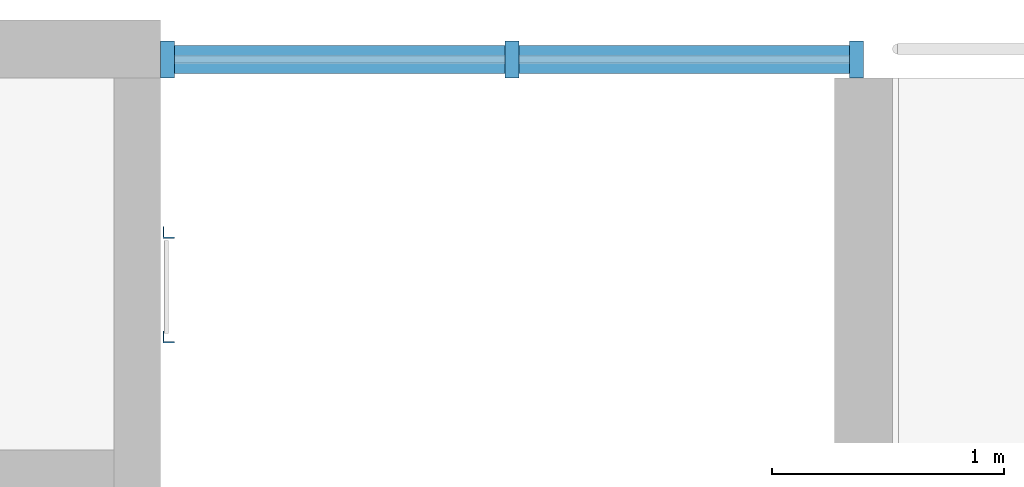
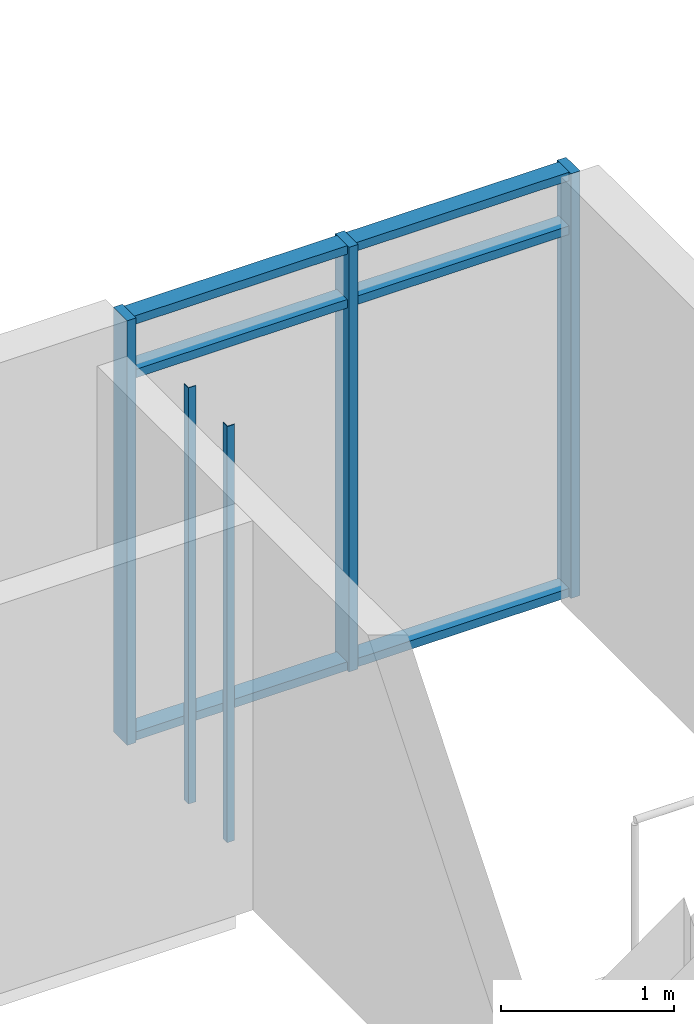
# One storey, part 17 of 55: 11 members, 1 element without a shape of its own.
"""IFC4 building model written with IfcOpenShell, lengths in metres."""

from ifc_helpers import new_model, si_unit, direction, frame, origin, origin_2d, place, context, subcontext, project, spatial, polyline, rectangle, outline, extrude, material, material_profile, profile_set, type_object, element, aggregate, save


model = new_model("IFC4")

# Units and contexts
model_context = context("Model", 3, precision=1e-05, world=origin(), true_north=direction((0.0, 1.0)))
body_context = subcontext(model_context, "Body", "Model", "MODEL_VIEW")
ifc_project = project(units=[si_unit("LENGTHUNIT", "METRE"), si_unit("AREAUNIT", "SQUARE_METRE"), si_unit("VOLUMEUNIT", "CUBIC_METRE"), si_unit("PLANEANGLEUNIT", "RADIAN"), si_unit("MASSUNIT", "GRAM", prefix="KILO")], contexts=[model_context])

# Site, building, storey
site_placement = place(None, origin())
site = spatial("IfcSite", under=ifc_project, at=site_placement, CompositionType="ELEMENT")
building_placement = place(site_placement, origin())
building = spatial("IfcBuilding", under=site, at=building_placement, Name="Ridgestep Commons", CompositionType="ELEMENT")
storey_placement = place(building_placement, frame((0.0, 0.0, 36.0)))
storey = spatial("IfcBuildingStorey", under=building, at=storey_placement, Name="L12", CompositionType="ELEMENT", Elevation=36.0)

# Members
ifc_material_1 = material(Name="Structural steel S355JR", Category="steel")
ifc_material_profile_1 = material_profile(ifc_material_1, outline(polyline([(-0.014404296875, -0.014404296875), (0.03564453125, -0.014404296875), (0.03564453125, -0.00927734375), (-0.00927734375, -0.00927734375), (-0.00927734375, 0.03564453125), (-0.014404296875, 0.03564453125), (-0.014404296875, -0.014404296875)])), Name="EA 50x50x5")
ifc_profile_set_1 = profile_set([ifc_material_profile_1], Name="Structural steel S355JR")
member_type_1 = type_object("IfcMemberType", Name="Core ladder stile EA 50x50x5", PredefinedType="STRINGER", material=ifc_profile_set_1)
for number, where, z_axis, x_axis, name in (
    (1, (183.39990234375, 75.875, 0.0), (0.0, 0.0, 1.0), (1.0, 0.0, 0.0), "Ladder stile C3C.1"),
    (2, (183.39990234375, 76.324951171875, 0.0), (0.0, 0.0, 1.0), (1.0, 0.0, 0.0), "Ladder stile C3C.2"),
):
    element("IfcMember", number, at=place(storey_placement, frame(where, z_axis=z_axis, x_axis=x_axis)), inside=storey, type_object=member_type_1, Name=name, PredefinedType="STRINGER", context=body_context, shape_type="SweptSolid", body=[
        extrude(outline(polyline([(-0.014404296875, -0.014404296875), (0.03564453125, -0.014404296875), (0.03564453125, -0.00927734375), (-0.00927734375, -0.00927734375), (-0.00927734375, 0.03564453125), (-0.014404296875, 0.03564453125), (-0.014404296875, -0.014404296875)])), origin(), (0.0, 0.0, 1.0), 2.93994140625),
    ])

# Curtain wall, members
ifc_material_2 = material(Name="Aluminium 6063-T6 and glass", Category="aluminium")
curtain_wall_type = type_object("IfcCurtainWallType", Name="Curtain wall stair strip", PredefinedType="NOTDEFINED", material=ifc_material_2)
curtain_wall_placement = place(storey_placement, origin())
curtain_wall = element("IfcCurtainWall", 3, at=curtain_wall_placement, inside=storey, type_object=curtain_wall_type, Name="Curtain wall C3C level 12", PredefinedType="NOTDEFINED")
ifc_material_3 = material(Name="Aluminium 6063-T6", Category="aluminium")
ifc_material_profile_2 = material_profile(ifc_material_3, rectangle(XDim=0.159912109375, YDim=0.06005859375, at=origin_2d()), Name="Mullion 60 x 160")
ifc_profile_set_2 = profile_set([ifc_material_profile_2], Name="Aluminium 6063-T6")
member_type_2 = type_object("IfcMemberType", Name="Mullion 60 x 160", PredefinedType="MULLION", material=ifc_profile_set_2)
member_1_placement = place(storey_placement, frame((183.405029296875, 77.080078125, 0.0), z_axis=(0.0, 0.0, 1.0), x_axis=(0.0, 1.0, 0.0)))
member_1 = element("IfcMember", 4, at=member_1_placement, type_object=member_type_2, Name="CW1 mullion 1", PredefinedType="MULLION", context=body_context, shape_type="SweptSolid", body=[
    extrude(rectangle(XDim=0.159912109375, YDim=0.06005859375, at=origin_2d()), origin(), (0.0, 0.0, 1.0), 3.0),
])
member_2_placement = place(storey_placement, frame((184.887451171875, 77.080078125, 0.0), z_axis=(0.0, 0.0, 1.0), x_axis=(0.0, 1.0, 0.0)))
member_2 = element("IfcMember", 5, at=member_2_placement, type_object=member_type_2, Name="CW1 mullion 2", PredefinedType="MULLION", context=body_context, shape_type="SweptSolid", body=[
    extrude(rectangle(XDim=0.159912109375, YDim=0.06005859375, at=origin_2d()), origin(), (0.0, 0.0, 1.0), 3.0),
])
member_3_placement = place(storey_placement, frame((186.3701171875, 77.080078125, 0.0), z_axis=(0.0, 0.0, 1.0), x_axis=(0.0, 1.0, 0.0)))
member_3 = element("IfcMember", 6, at=member_3_placement, type_object=member_type_2, Name="CW1 mullion 3", PredefinedType="MULLION", context=body_context, shape_type="SweptSolid", body=[
    extrude(rectangle(XDim=0.159912109375, YDim=0.06005859375, at=origin_2d()), origin(), (0.0, 0.0, 1.0), 3.0),
])
ifc_material_4 = material(Name="Aluminium 6063-T6", Category="aluminium")
ifc_material_profile_3 = material_profile(ifc_material_4, rectangle(XDim=0.1201171875, YDim=0.06005859375, at=origin_2d()), Name="Transom 60 x 120")
ifc_profile_set_3 = profile_set([ifc_material_profile_3], Name="Aluminium 6063-T6")
member_type_3 = type_object("IfcMemberType", Name="Transom 60 x 120", PredefinedType="USERDEFINED", material=ifc_profile_set_3)
member_4_placement = place(storey_placement, frame((183.43505859375, 77.080078125, 0.030029296875), z_axis=(1.0, 0.0, 0.0), x_axis=(0.0, 1.0, 0.0)))
member_4 = element("IfcMember", 7, at=member_4_placement, type_object=member_type_3, Name="CW1 transom 1.1", ObjectType="TRANSOM", PredefinedType="USERDEFINED", context=body_context, shape_type="SweptSolid", body=[
    extrude(rectangle(XDim=0.1201171875, YDim=0.06005859375, at=origin_2d()), origin(), (0.0, 0.0, 1.0), 1.42236328125),
])
member_5_placement = place(storey_placement, frame((183.43505859375, 77.080078125, 2.590087890625), z_axis=(1.0, 0.0, 0.0), x_axis=(0.0, 1.0, 0.0)))
member_5 = element("IfcMember", 8, at=member_5_placement, type_object=member_type_3, Name="CW1 transom 1.2", ObjectType="TRANSOM", PredefinedType="USERDEFINED", context=body_context, shape_type="SweptSolid", body=[
    extrude(rectangle(XDim=0.1201171875, YDim=0.06005859375, at=origin_2d()), origin(), (0.0, 0.0, 1.0), 1.42236328125),
])
member_6_placement = place(storey_placement, frame((183.43505859375, 77.080078125, 2.969970703125), z_axis=(1.0, 0.0, 0.0), x_axis=(0.0, 1.0, 0.0)))
member_6 = element("IfcMember", 9, at=member_6_placement, type_object=member_type_3, Name="CW1 transom 1.3", ObjectType="TRANSOM", PredefinedType="USERDEFINED", context=body_context, shape_type="SweptSolid", body=[
    extrude(rectangle(XDim=0.1201171875, YDim=0.06005859375, at=origin_2d()), origin(), (0.0, 0.0, 1.0), 1.42236328125),
])
member_7_placement = place(storey_placement, frame((184.91748046875, 77.080078125, 0.030029296875), z_axis=(1.0, 0.0, 0.0), x_axis=(0.0, 1.0, 0.0)))
member_7 = element("IfcMember", 10, at=member_7_placement, type_object=member_type_3, Name="CW1 transom 2.1", ObjectType="TRANSOM", PredefinedType="USERDEFINED", context=body_context, shape_type="SweptSolid", body=[
    extrude(rectangle(XDim=0.1201171875, YDim=0.06005859375, at=origin_2d()), origin(), (0.0, 0.0, 1.0), 1.422607421875),
])
member_8_placement = place(storey_placement, frame((184.91748046875, 77.080078125, 2.590087890625), z_axis=(1.0, 0.0, 0.0), x_axis=(0.0, 1.0, 0.0)))
member_8 = element("IfcMember", 11, at=member_8_placement, type_object=member_type_3, Name="CW1 transom 2.2", ObjectType="TRANSOM", PredefinedType="USERDEFINED", context=body_context, shape_type="SweptSolid", body=[
    extrude(rectangle(XDim=0.1201171875, YDim=0.06005859375, at=origin_2d()), origin(), (0.0, 0.0, 1.0), 1.422607421875),
])
member_9_placement = place(storey_placement, frame((184.91748046875, 77.080078125, 2.969970703125), z_axis=(1.0, 0.0, 0.0), x_axis=(0.0, 1.0, 0.0)))
member_9 = element("IfcMember", 12, at=member_9_placement, type_object=member_type_3, Name="CW1 transom 2.3", ObjectType="TRANSOM", PredefinedType="USERDEFINED", context=body_context, shape_type="SweptSolid", body=[
    extrude(rectangle(XDim=0.1201171875, YDim=0.06005859375, at=origin_2d()), origin(), (0.0, 0.0, 1.0), 1.422607421875),
])
aggregate(curtain_wall, [member_1, member_2, member_3, member_4, member_5, member_6, member_7, member_8, member_9])

save(model, "model.ifc")
